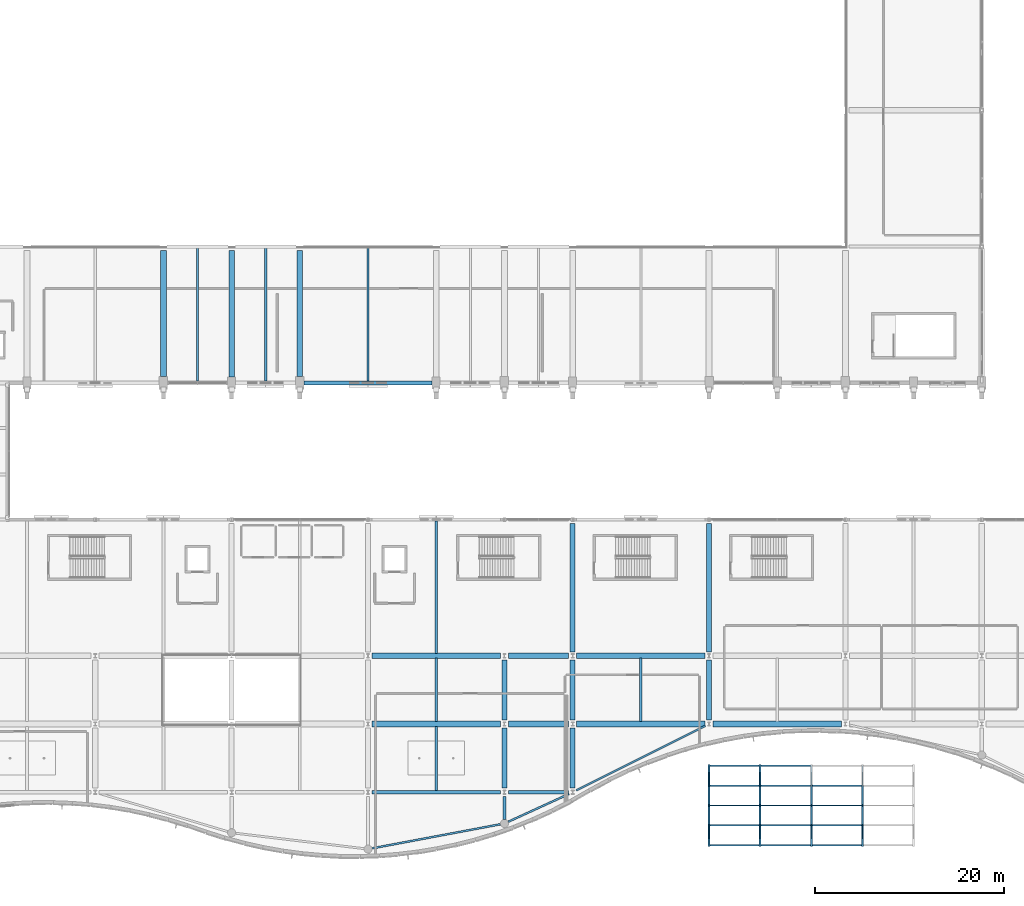
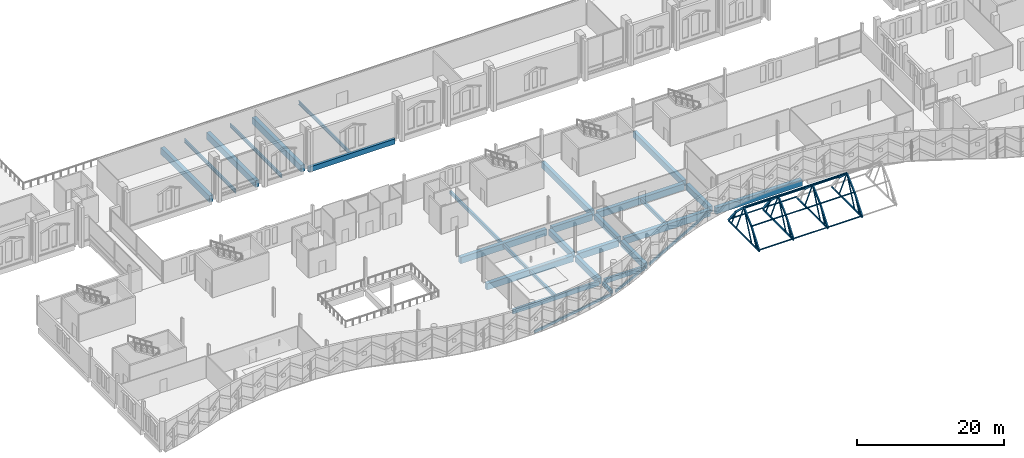
# One storey, part 37 of 220: 46 members, 31 beams.
"""IFC4 building model written with IfcOpenShell, lengths in metres."""

from ifc_helpers import new_model, si_unit, direction, frame, origin, origin_2d, place, context, subcontext, project, spatial, rectangle, hollow_rectangle, hollow_circle, i_section, extrude, material, material_profile, profile_set, type_object, element, save


model = new_model("IFC4")

# Units and contexts
model_context = context("Model", 3, precision=1e-05, world=origin(), true_north=direction((0.0, 1.0)))
body_context = subcontext(model_context, "Body", "Model", "MODEL_VIEW")
ifc_project = project(units=[si_unit("LENGTHUNIT", "METRE"), si_unit("AREAUNIT", "SQUARE_METRE"), si_unit("VOLUMEUNIT", "CUBIC_METRE"), si_unit("PLANEANGLEUNIT", "RADIAN"), si_unit("MASSUNIT", "GRAM", prefix="KILO")], contexts=[model_context])

# Site, building, storey
site_placement = place(None, origin())
site = spatial("IfcSite", under=ifc_project, at=site_placement, CompositionType="ELEMENT")
building_placement = place(site_placement, origin())
building = spatial("IfcBuilding", under=site, at=building_placement, Name="Cendralis Lancet Convention Centre", CompositionType="ELEMENT")
storey_placement = place(building_placement, frame((0.0, 0.0, 5.39990234375)))
storey = spatial("IfcBuildingStorey", under=building, at=storey_placement, Name="L01", CompositionType="ELEMENT", Elevation=5.39990234375)

# Beams
ifc_material_1 = material(Name="Concrete G40 (C40/50)", Category="concrete")
ifc_material_profile_1 = material_profile(ifc_material_1, rectangle(XDim=0.60009765625, YDim=1.10009765625, at=origin_2d()), Name="RCB 600x1100")
ifc_profile_set_1 = profile_set([ifc_material_profile_1], Name="Concrete G40 (C40/50)")
beam_type_1 = type_object("IfcBeamType", Name="STR-BM-BG02", PredefinedType="BEAM", material=ifc_profile_set_1)
beam_1_placement = place(storey_placement, frame((36.0, 51.10009765625, -0.829833984375), z_axis=(0.0, 1.0, 0.0), x_axis=(-1.0, 0.0, 0.0)))
element("IfcBeam", 1, at=beam_1_placement, inside=storey, type_object=beam_type_1, Name="L01 Beam BG02 #1217", PredefinedType="BEAM", context=body_context, shape_type="SweptSolid", body=[
    extrude(rectangle(XDim=0.60009765625, YDim=1.10009765625, at=origin_2d()), origin(), (0.0, 0.0, 1.0), 13.2998046875),
])
beam_2_placement = place(storey_placement, frame((43.199951171875, 51.050048828125, -0.829833984375), z_axis=(0.0, 1.0, 0.0), x_axis=(-1.0, 0.0, 0.0)))
element("IfcBeam", 2, at=beam_2_placement, inside=storey, type_object=beam_type_1, Name="L01 Beam BG02 #1218", PredefinedType="BEAM", context=body_context, shape_type="SweptSolid", body=[
    extrude(rectangle(XDim=0.60009765625, YDim=1.10009765625, at=origin_2d()), origin(), (0.0, 0.0, 1.0), 13.349853515625),
])
beam_3_placement = place(storey_placement, frame((50.39990234375, 51.10009765625, -0.829833984375), z_axis=(0.0, 1.0, 0.0), x_axis=(-1.0, 0.0, 0.0)))
element("IfcBeam", 3, at=beam_3_placement, inside=storey, type_object=beam_type_1, Name="L01 Beam BG02 #1219", PredefinedType="BEAM", context=body_context, shape_type="SweptSolid", body=[
    extrude(rectangle(XDim=0.60009765625, YDim=1.10009765625, at=origin_2d()), origin(), (0.0, 0.0, 1.0), 13.2998046875),
])
ifc_material_profile_2 = material_profile(ifc_material_1, rectangle(XDim=0.60009765625, YDim=1.050048828125, at=origin_2d()), Name="RCB 600x1050")
ifc_profile_set_2 = profile_set([ifc_material_profile_2], Name="Concrete G40 (C40/50)")
beam_type_2 = type_object("IfcBeamType", Name="STR-BM-BG03", PredefinedType="BEAM", material=ifc_profile_set_2)
beam_4_placement = place(storey_placement, frame((58.02490234375, 14.39990234375, -0.804931640625), z_axis=(1.0, 0.0, 0.0), x_axis=(0.0, 1.0, 0.0)))
element("IfcBeam", 4, at=beam_4_placement, inside=storey, type_object=beam_type_2, Name="L01 Beam BG03 #0746", PredefinedType="BEAM", context=body_context, shape_type="SweptSolid", body=[
    extrude(rectangle(XDim=0.60009765625, YDim=1.050048828125, at=origin_2d()), origin(), (0.0, 0.0, 1.0), 13.550048828125),
])
beam_5_placement = place(storey_placement, frame((72.425048828125, 14.39990234375, -0.804931640625), z_axis=(1.0, 0.0, 0.0), x_axis=(0.0, 1.0, 0.0)))
element("IfcBeam", 5, at=beam_5_placement, inside=storey, type_object=beam_type_2, Name="L01 Beam BG03 #0747", PredefinedType="BEAM", context=body_context, shape_type="SweptSolid", body=[
    extrude(rectangle(XDim=0.60009765625, YDim=1.050048828125, at=origin_2d()), origin(), (0.0, 0.0, 1.0), 6.349853515625),
])
for number, where, z_axis, x_axis, name in (
    (6, (79.625, 14.39990234375, -0.804931640625), (1.0, 0.0, 0.0), (0.0, 1.0, 0.0), "L01 Beam BG03 #0748"),
    (7, (94.02490234375, 14.39990234375, -0.804931640625), (1.0, 0.0, 0.0), (0.0, 1.0, 0.0), "L01 Beam BG03 #0749"),
    (8, (58.02490234375, 21.60009765625, -0.804931640625), (1.0, 0.0, 0.0), (0.0, 1.0, 0.0), "L01 Beam BG03 #0756"),
):
    element("IfcBeam", number, at=place(storey_placement, frame(where, z_axis=z_axis, x_axis=x_axis)), inside=storey, type_object=beam_type_2, Name=name, PredefinedType="BEAM", context=body_context, shape_type="SweptSolid", body=[
        extrude(rectangle(XDim=0.60009765625, YDim=1.050048828125, at=origin_2d()), origin(), (0.0, 0.0, 1.0), 13.550048828125),
    ])
beam_6_placement = place(storey_placement, frame((72.425048828125, 21.60009765625, -0.804931640625), z_axis=(1.0, 0.0, 0.0), x_axis=(0.0, 1.0, 0.0)))
element("IfcBeam", 9, at=beam_6_placement, inside=storey, type_object=beam_type_2, Name="L01 Beam BG03 #0757", PredefinedType="BEAM", context=body_context, shape_type="SweptSolid", body=[
    extrude(rectangle(XDim=0.60009765625, YDim=1.050048828125, at=origin_2d()), origin(), (0.0, 0.0, 1.0), 6.349853515625),
])
beam_7_placement = place(storey_placement, frame((79.625, 21.60009765625, -0.804931640625), z_axis=(1.0, 0.0, 0.0), x_axis=(0.0, 1.0, 0.0)))
element("IfcBeam", 10, at=beam_7_placement, inside=storey, type_object=beam_type_2, Name="L01 Beam BG03 #0758", PredefinedType="BEAM", context=body_context, shape_type="SweptSolid", body=[
    extrude(rectangle(XDim=0.60009765625, YDim=1.050048828125, at=origin_2d()), origin(), (0.0, 0.0, 1.0), 13.550048828125),
])
ifc_material_profile_3 = material_profile(ifc_material_1, rectangle(XDim=0.550048828125, YDim=1.0, at=origin_2d()), Name="RCB 550x1000")
ifc_profile_set_3 = profile_set([ifc_material_profile_3], Name="Concrete G40 (C40/50)")
beam_type_3 = type_object("IfcBeamType", Name="STR-BM-BG05", PredefinedType="BEAM", material=ifc_profile_set_3)
for number, where, z_axis, x_axis, name in (
    (11, (72.0, 7.625, -0.77978515625), (0.0, 1.0, 0.0), (-1.0, 0.0, 0.0), "L01 Beam BG05 #0786"),
    (12, (72.0, 14.824951171875, -0.77978515625), (0.0, 1.0, 0.0), (-1.0, 0.0, 0.0), "L01 Beam BG05 #0787"),
    (13, (79.199951171875, 7.625, -0.77978515625), (0.0, 1.0, 0.0), (-1.0, 0.0, 0.0), "L01 Beam BG05 #0788"),
    (14, (79.199951171875, 14.824951171875, -0.77978515625), (0.0, 1.0, 0.0), (-1.0, 0.0, 0.0), "L01 Beam BG05 #0789"),
):
    element("IfcBeam", number, at=place(storey_placement, frame(where, z_axis=z_axis, x_axis=x_axis)), inside=storey, type_object=beam_type_3, Name=name, PredefinedType="BEAM", context=body_context, shape_type="SweptSolid", body=[
        extrude(rectangle(XDim=0.550048828125, YDim=1.0, at=origin_2d()), origin(), (0.0, 0.0, 1.0), 6.35009765625),
    ])
beam_8_placement = place(storey_placement, frame((79.199951171875, 22.02490234375, -0.77978515625), z_axis=(0.0, 1.0, 0.0), x_axis=(-1.0, 0.0, 0.0)))
element("IfcBeam", 15, at=beam_8_placement, inside=storey, type_object=beam_type_3, Name="L01 Beam BG05 #0790", PredefinedType="BEAM", context=body_context, shape_type="SweptSolid", body=[
    extrude(rectangle(XDim=0.550048828125, YDim=1.0, at=origin_2d()), origin(), (0.0, 0.0, 1.0), 13.550048828125),
])
beam_9_placement = place(storey_placement, frame((93.60009765625, 14.824951171875, -0.77978515625), z_axis=(0.0, 1.0, 0.0), x_axis=(-1.0, 0.0, 0.0)))
element("IfcBeam", 16, at=beam_9_placement, inside=storey, type_object=beam_type_3, Name="L01 Beam BG05 #0791", PredefinedType="BEAM", context=body_context, shape_type="SweptSolid", body=[
    extrude(rectangle(XDim=0.550048828125, YDim=1.0, at=origin_2d()), origin(), (0.0, 0.0, 1.0), 6.35009765625),
])
beam_10_placement = place(storey_placement, frame((93.60009765625, 22.02490234375, -0.77978515625), z_axis=(0.0, 1.0, 0.0), x_axis=(-1.0, 0.0, 0.0)))
element("IfcBeam", 17, at=beam_10_placement, inside=storey, type_object=beam_type_3, Name="L01 Beam BG05 #0792", PredefinedType="BEAM", context=body_context, shape_type="SweptSolid", body=[
    extrude(rectangle(XDim=0.550048828125, YDim=1.0, at=origin_2d()), origin(), (0.0, 0.0, 1.0), 13.550048828125),
])
ifc_material_2 = material(Name="Concrete G35 (C35/45)", Category="concrete")
ifc_material_profile_4 = material_profile(ifc_material_2, rectangle(XDim=0.35009765625, YDim=0.60009765625, at=origin_2d()), Name="RCB 350x600")
ifc_profile_set_4 = profile_set([ifc_material_profile_4], Name="Concrete G35 (C35/45)")
beam_type_4 = type_object("IfcBeamType", Name="STR-BM-BG16", PredefinedType="BEAM", material=ifc_profile_set_4)
beam_11_placement = place(storey_placement, frame((72.0, 4.347900390625, -0.579833984375), z_axis=(0.0, 1.0, 0.0), x_axis=(-1.0, 0.0, 0.0)))
element("IfcBeam", 18, at=beam_11_placement, inside=storey, type_object=beam_type_4, Name="L01 Beam BG16 #1050", PredefinedType="BEAM", context=body_context, shape_type="SweptSolid", body=[
    extrude(rectangle(XDim=0.35009765625, YDim=0.60009765625, at=origin_2d()), origin(), (0.0, 0.0, 1.0), 2.427001953125),
])

# Members
ifc_material_3 = material(Name="Steel S355", Category="steel")
ifc_material_profile_5 = material_profile(ifc_material_3, hollow_rectangle(XDim=0.199951171875, YDim=0.300048828125, WallThickness=0.012451171875, at=origin_2d()), Name="RHS 300x200x12.5")
ifc_profile_set_5 = profile_set([ifc_material_profile_5], Name="Steel S355")
member_type_1 = type_object("IfcMemberType", Name="STR-CN-AR01", PredefinedType="RAFTER", material=ifc_profile_set_5)
member_1_placement = place(storey_placement, frame((93.60009765625, 1.60009765625, 0.35009765625), z_axis=(0.0, 0.611368600766, 0.791345963531), x_axis=(-1.0, 0.0, 0.0)))
element("IfcMember", 19, at=member_1_placement, inside=storey, type_object=member_type_1, Name="Entrance Canopy Pointed-Arch Rib AR01 S1-01", PredefinedType="RAFTER", context=body_context, shape_type="SweptSolid", body=[
    extrude(hollow_rectangle(XDim=0.199951171875, YDim=0.300048828125, WallThickness=0.012451171875, at=origin_2d()), origin(), (0.0, 0.0, 1.0), 3.4345703125),
])
member_2_placement = place(storey_placement, frame((93.60009765625, 3.699951171875, 3.068115234375), z_axis=(0.0, 0.732478000347, 0.680790701323), x_axis=(-1.0, 0.0, 0.0)))
element("IfcMember", 20, at=member_2_placement, inside=storey, type_object=member_type_1, Name="Entrance Canopy Pointed-Arch Rib AR01 S2-01", PredefinedType="RAFTER", context=body_context, shape_type="SweptSolid", body=[
    extrude(hollow_rectangle(XDim=0.199951171875, YDim=0.300048828125, WallThickness=0.012451171875, at=origin_2d()), origin(), (0.0, 0.0, 1.0), 2.8671875),
])
member_3_placement = place(storey_placement, frame((93.60009765625, 5.800048828125, 5.02001953125), z_axis=(0.0, 0.732438530721, -0.680833165111), x_axis=(-1.0, 0.0, 0.0)))
element("IfcMember", 21, at=member_3_placement, inside=storey, type_object=member_type_1, Name="Entrance Canopy Pointed-Arch Rib AR01 N1-01", PredefinedType="RAFTER", context=body_context, shape_type="SweptSolid", body=[
    extrude(hollow_rectangle(XDim=0.199951171875, YDim=0.300048828125, WallThickness=0.012451171875, at=origin_2d()), origin(), (0.0, 0.0, 1.0), 2.866943359375),
])
member_4_placement = place(storey_placement, frame((93.60009765625, 7.89990234375, 3.068115234375), z_axis=(0.0, 0.611413110875, -0.791311574445), x_axis=(-1.0, 0.0, 0.0)))
element("IfcMember", 22, at=member_4_placement, inside=storey, type_object=member_type_1, Name="Entrance Canopy Pointed-Arch Rib AR01 N2-01", PredefinedType="RAFTER", context=body_context, shape_type="SweptSolid", body=[
    extrude(hollow_rectangle(XDim=0.199951171875, YDim=0.300048828125, WallThickness=0.012451171875, at=origin_2d()), origin(), (0.0, 0.0, 1.0), 3.434814453125),
])
member_5_placement = place(storey_placement, frame((99.0, 1.60009765625, 0.35009765625), z_axis=(0.0, 0.611368600766, 0.791345963531), x_axis=(-1.0, 0.0, 0.0)))
element("IfcMember", 23, at=member_5_placement, inside=storey, type_object=member_type_1, Name="Entrance Canopy Pointed-Arch Rib AR01 S1-02", PredefinedType="RAFTER", context=body_context, shape_type="SweptSolid", body=[
    extrude(hollow_rectangle(XDim=0.199951171875, YDim=0.300048828125, WallThickness=0.012451171875, at=origin_2d()), origin(), (0.0, 0.0, 1.0), 3.4345703125),
])
member_6_placement = place(storey_placement, frame((99.0, 3.699951171875, 3.068115234375), z_axis=(0.0, 0.732478000347, 0.680790701323), x_axis=(-1.0, 0.0, 0.0)))
element("IfcMember", 24, at=member_6_placement, inside=storey, type_object=member_type_1, Name="Entrance Canopy Pointed-Arch Rib AR01 S2-02", PredefinedType="RAFTER", context=body_context, shape_type="SweptSolid", body=[
    extrude(hollow_rectangle(XDim=0.199951171875, YDim=0.300048828125, WallThickness=0.012451171875, at=origin_2d()), origin(), (0.0, 0.0, 1.0), 2.8671875),
])
member_7_placement = place(storey_placement, frame((99.0, 5.800048828125, 5.02001953125), z_axis=(0.0, 0.732438530721, -0.680833165111), x_axis=(-1.0, 0.0, 0.0)))
element("IfcMember", 25, at=member_7_placement, inside=storey, type_object=member_type_1, Name="Entrance Canopy Pointed-Arch Rib AR01 N1-02", PredefinedType="RAFTER", context=body_context, shape_type="SweptSolid", body=[
    extrude(hollow_rectangle(XDim=0.199951171875, YDim=0.300048828125, WallThickness=0.012451171875, at=origin_2d()), origin(), (0.0, 0.0, 1.0), 2.866943359375),
])
member_8_placement = place(storey_placement, frame((99.0, 7.89990234375, 3.068115234375), z_axis=(0.0, 0.611413110875, -0.791311574445), x_axis=(-1.0, 0.0, 0.0)))
element("IfcMember", 26, at=member_8_placement, inside=storey, type_object=member_type_1, Name="Entrance Canopy Pointed-Arch Rib AR01 N2-02", PredefinedType="RAFTER", context=body_context, shape_type="SweptSolid", body=[
    extrude(hollow_rectangle(XDim=0.199951171875, YDim=0.300048828125, WallThickness=0.012451171875, at=origin_2d()), origin(), (0.0, 0.0, 1.0), 3.434814453125),
])
member_9_placement = place(storey_placement, frame((104.39990234375, 1.60009765625, 0.35009765625), z_axis=(0.0, 0.611368600766, 0.791345963531), x_axis=(-1.0, 0.0, 0.0)))
element("IfcMember", 27, at=member_9_placement, inside=storey, type_object=member_type_1, Name="Entrance Canopy Pointed-Arch Rib AR01 S1-03", PredefinedType="RAFTER", context=body_context, shape_type="SweptSolid", body=[
    extrude(hollow_rectangle(XDim=0.199951171875, YDim=0.300048828125, WallThickness=0.012451171875, at=origin_2d()), origin(), (0.0, 0.0, 1.0), 3.4345703125),
])
member_10_placement = place(storey_placement, frame((104.39990234375, 3.699951171875, 3.068115234375), z_axis=(0.0, 0.732478000347, 0.680790701323), x_axis=(-1.0, 0.0, 0.0)))
element("IfcMember", 28, at=member_10_placement, inside=storey, type_object=member_type_1, Name="Entrance Canopy Pointed-Arch Rib AR01 S2-03", PredefinedType="RAFTER", context=body_context, shape_type="SweptSolid", body=[
    extrude(hollow_rectangle(XDim=0.199951171875, YDim=0.300048828125, WallThickness=0.012451171875, at=origin_2d()), origin(), (0.0, 0.0, 1.0), 2.8671875),
])
member_11_placement = place(storey_placement, frame((104.39990234375, 5.800048828125, 5.02001953125), z_axis=(0.0, 0.732438530721, -0.680833165111), x_axis=(-1.0, 0.0, 0.0)))
element("IfcMember", 29, at=member_11_placement, inside=storey, type_object=member_type_1, Name="Entrance Canopy Pointed-Arch Rib AR01 N1-03", PredefinedType="RAFTER", context=body_context, shape_type="SweptSolid", body=[
    extrude(hollow_rectangle(XDim=0.199951171875, YDim=0.300048828125, WallThickness=0.012451171875, at=origin_2d()), origin(), (0.0, 0.0, 1.0), 2.866943359375),
])
member_12_placement = place(storey_placement, frame((109.800048828125, 1.60009765625, 0.35009765625), z_axis=(0.0, 0.611368600766, 0.791345963531), x_axis=(-1.0, 0.0, 0.0)))
element("IfcMember", 30, at=member_12_placement, inside=storey, type_object=member_type_1, Name="Entrance Canopy Pointed-Arch Rib AR01 S1-04", PredefinedType="RAFTER", context=body_context, shape_type="SweptSolid", body=[
    extrude(hollow_rectangle(XDim=0.199951171875, YDim=0.300048828125, WallThickness=0.012451171875, at=origin_2d()), origin(), (0.0, 0.0, 1.0), 3.4345703125),
])
member_13_placement = place(storey_placement, frame((109.800048828125, 3.699951171875, 3.068115234375), z_axis=(0.0, 0.732478000347, 0.680790701323), x_axis=(-1.0, 0.0, 0.0)))
element("IfcMember", 31, at=member_13_placement, inside=storey, type_object=member_type_1, Name="Entrance Canopy Pointed-Arch Rib AR01 S2-04", PredefinedType="RAFTER", context=body_context, shape_type="SweptSolid", body=[
    extrude(hollow_rectangle(XDim=0.199951171875, YDim=0.300048828125, WallThickness=0.012451171875, at=origin_2d()), origin(), (0.0, 0.0, 1.0), 2.8671875),
])
member_14_placement = place(storey_placement, frame((109.800048828125, 5.800048828125, 5.02001953125), z_axis=(0.0, 0.732438530721, -0.680833165111), x_axis=(-1.0, 0.0, 0.0)))
element("IfcMember", 32, at=member_14_placement, inside=storey, type_object=member_type_1, Name="Entrance Canopy Pointed-Arch Rib AR01 N1-04", PredefinedType="RAFTER", context=body_context, shape_type="SweptSolid", body=[
    extrude(hollow_rectangle(XDim=0.199951171875, YDim=0.300048828125, WallThickness=0.012451171875, at=origin_2d()), origin(), (0.0, 0.0, 1.0), 2.866943359375),
])
ifc_material_profile_6 = material_profile(ifc_material_3, hollow_rectangle(XDim=0.14990234375, YDim=0.14990234375, WallThickness=0.008056640625, at=origin_2d()), Name="SHS 150x150x8.0")
ifc_profile_set_6 = profile_set([ifc_material_profile_6], Name="Steel S355")
member_type_2 = type_object("IfcMemberType", Name="STR-CN-PR04", PredefinedType="PURLIN", material=ifc_profile_set_6)
for number, where, z_axis, x_axis, name in (
    (33, (93.60009765625, 1.60009765625, 0.5), (1.0, 0.0, 0.0), (0.0, 1.0, 0.0), "Canopy Purlin PR04 01-1.6"),
    (34, (93.60009765625, 3.699951171875, 3.168212890625), (1.0, 0.0, 0.0), (0.0, 1.0, 0.0), "Canopy Purlin PR04 01-3.7"),
    (35, (93.60009765625, 5.800048828125, 5.10009765625), (1.0, 0.0, 0.0), (0.0, 1.0, 0.0), "Canopy Purlin PR04 01-5.8"),
    (36, (93.60009765625, 7.89990234375, 3.168212890625), (1.0, 0.0, 0.0), (0.0, 1.0, 0.0), "Canopy Purlin PR04 01-7.9"),
    (37, (93.60009765625, 10.0, 0.5), (1.0, 0.0, 0.0), (0.0, 1.0, 0.0), "Canopy Purlin PR04 01-10.0"),
    (38, (99.0, 1.60009765625, 0.5), (1.0, 0.0, 0.0), (0.0, 1.0, 0.0), "Canopy Purlin PR04 02-1.6"),
    (39, (99.0, 3.699951171875, 3.168212890625), (1.0, 0.0, 0.0), (0.0, 1.0, 0.0), "Canopy Purlin PR04 02-3.7"),
    (40, (99.0, 5.800048828125, 5.10009765625), (1.0, 0.0, 0.0), (0.0, 1.0, 0.0), "Canopy Purlin PR04 02-5.8"),
    (41, (99.0, 7.89990234375, 3.168212890625), (1.0, 0.0, 0.0), (0.0, 1.0, 0.0), "Canopy Purlin PR04 02-7.9"),
    (42, (99.0, 10.0, 0.5), (1.0, 0.0, 0.0), (0.0, 1.0, 0.0), "Canopy Purlin PR04 02-10.0"),
):
    element("IfcMember", number, at=place(storey_placement, frame(where, z_axis=z_axis, x_axis=x_axis)), inside=storey, type_object=member_type_2, Name=name, PredefinedType="PURLIN", context=body_context, shape_type="SweptSolid", body=[
        extrude(hollow_rectangle(XDim=0.14990234375, YDim=0.14990234375, WallThickness=0.008056640625, at=origin_2d()), origin(), (0.0, 0.0, 1.0), 5.39990234375),
    ])
for number, where, z_axis, x_axis, name in (
    (43, (104.39990234375, 1.60009765625, 0.5), (1.0, 0.0, 0.0), (0.0, 1.0, 0.0), "Canopy Purlin PR04 03-1.6"),
    (44, (104.39990234375, 3.699951171875, 3.168212890625), (1.0, 0.0, 0.0), (0.0, 1.0, 0.0), "Canopy Purlin PR04 03-3.7"),
    (45, (104.39990234375, 5.800048828125, 5.10009765625), (1.0, 0.0, 0.0), (0.0, 1.0, 0.0), "Canopy Purlin PR04 03-5.8"),
    (46, (104.39990234375, 7.89990234375, 3.168212890625), (1.0, 0.0, 0.0), (0.0, 1.0, 0.0), "Canopy Purlin PR04 03-7.9"),
):
    element("IfcMember", number, at=place(storey_placement, frame(where, z_axis=z_axis, x_axis=x_axis)), inside=storey, type_object=member_type_2, Name=name, PredefinedType="PURLIN", context=body_context, shape_type="SweptSolid", body=[
        extrude(hollow_rectangle(XDim=0.14990234375, YDim=0.14990234375, WallThickness=0.008056640625, at=origin_2d()), origin(), (0.0, 0.0, 1.0), 5.400146484375),
    ])
ifc_material_profile_7 = material_profile(ifc_material_3, hollow_rectangle(XDim=0.14990234375, YDim=0.25, WallThickness=0.010009765625, at=origin_2d()), Name="RHS 250x150x10.0")
ifc_profile_set_7 = profile_set([ifc_material_profile_7], Name="Steel S355")
member_type_3 = type_object("IfcMemberType", Name="STR-CN-ST03", PredefinedType="STRUT", material=ifc_profile_set_7)
for number, where, z_axis, x_axis, name in (
    (47, (93.60009765625, 1.60009765625, 0.280029296875), (0.0, 1.0, 0.0), (-1.0, 0.0, 0.0), "Entrance Canopy Tie Strut ST03 01"),
    (48, (99.0, 1.60009765625, 0.280029296875), (0.0, 1.0, 0.0), (-1.0, 0.0, 0.0), "Entrance Canopy Tie Strut ST03 02"),
    (49, (104.39990234375, 1.60009765625, 0.280029296875), (0.0, 1.0, 0.0), (-1.0, 0.0, 0.0), "Entrance Canopy Tie Strut ST03 03"),
    (50, (109.800048828125, 1.60009765625, 0.280029296875), (0.0, 1.0, 0.0), (-1.0, 0.0, 0.0), "Entrance Canopy Tie Strut ST03 04"),
):
    element("IfcMember", number, at=place(storey_placement, frame(where, z_axis=z_axis, x_axis=x_axis)), inside=storey, type_object=member_type_3, Name=name, PredefinedType="STRUT", context=body_context, shape_type="SweptSolid", body=[
        extrude(hollow_rectangle(XDim=0.14990234375, YDim=0.25, WallThickness=0.010009765625, at=origin_2d()), origin(), (0.0, 0.0, 1.0), 8.39990234375),
    ])

# Beams
ifc_material_profile_8 = material_profile(ifc_material_2, rectangle(XDim=0.300048828125, YDim=0.550048828125, at=origin_2d()), Name="RCB 300x550")
ifc_profile_set_8 = profile_set([ifc_material_profile_8], Name="Concrete G35 (C35/45)")
beam_type_5 = type_object("IfcBeamType", Name="STR-JS-BJ02", PredefinedType="JOIST", material=ifc_profile_set_8)
beam_12_placement = place(storey_placement, frame((64.800048828125, 7.375, -0.554931640625), z_axis=(0.0, 1.0, 0.0), x_axis=(-1.0, 0.0, 0.0)))
element("IfcBeam", 51, at=beam_12_placement, inside=storey, type_object=beam_type_5, Name="L01 Beam BJ02 #0809", PredefinedType="JOIST", context=body_context, shape_type="SweptSolid", body=[
    extrude(rectangle(XDim=0.300048828125, YDim=0.550048828125, at=origin_2d()), origin(), (0.0, 0.0, 1.0), 6.77490234375),
])
beam_13_placement = place(storey_placement, frame((64.800048828125, 14.64990234375, -0.554931640625), z_axis=(0.0, 1.0, 0.0), x_axis=(-1.0, 0.0, 0.0)))
element("IfcBeam", 52, at=beam_13_placement, inside=storey, type_object=beam_type_5, Name="L01 Beam BJ02 #0810", PredefinedType="JOIST", context=body_context, shape_type="SweptSolid", body=[
    extrude(rectangle(XDim=0.300048828125, YDim=0.550048828125, at=origin_2d()), origin(), (0.0, 0.0, 1.0), 6.7001953125),
])
beam_14_placement = place(storey_placement, frame((64.800048828125, 21.85009765625, -0.554931640625), z_axis=(0.0, 1.0, 0.0), x_axis=(-1.0, 0.0, 0.0)))
element("IfcBeam", 53, at=beam_14_placement, inside=storey, type_object=beam_type_5, Name="L01 Beam BJ02 #0811", PredefinedType="JOIST", context=body_context, shape_type="SweptSolid", body=[
    extrude(rectangle(XDim=0.300048828125, YDim=0.550048828125, at=origin_2d()), origin(), (0.0, 0.0, 1.0), 13.974853515625),
])
beam_15_placement = place(storey_placement, frame((86.39990234375, 14.64990234375, -0.554931640625), z_axis=(0.0, 1.0, 0.0), x_axis=(-1.0, 0.0, 0.0)))
element("IfcBeam", 54, at=beam_15_placement, inside=storey, type_object=beam_type_5, Name="L01 Beam BJ02 #0812", PredefinedType="JOIST", context=body_context, shape_type="SweptSolid", body=[
    extrude(rectangle(XDim=0.300048828125, YDim=0.550048828125, at=origin_2d()), origin(), (0.0, 0.0, 1.0), 6.7001953125),
])
ifc_material_profile_9 = material_profile(ifc_material_3, i_section(OverallWidth=0.219970703125, OverallDepth=0.60009765625, WebThickness=0.011962890625, FlangeThickness=0.01904296875, FilletRadius=0.02392578125, at=origin_2d()), Name="IPE 600")
ifc_profile_set_9 = profile_set([ifc_material_profile_9], Name="Steel S355")
beam_type_6 = type_object("IfcBeamType", Name="STR-JS-BJ04", PredefinedType="JOIST", material=ifc_profile_set_9)
for number, where, z_axis, x_axis, name in (
    (55, (39.60009765625, 50.60009765625, -0.579833984375), (0.0, 1.0, 0.0), (-1.0, 0.0, 0.0), "L01 Beam BJ04 #1227"),
    (56, (46.800048828125, 50.60009765625, -0.579833984375), (0.0, 1.0, 0.0), (-1.0, 0.0, 0.0), "L01 Beam BJ04 #1228"),
    (57, (57.60009765625, 50.60009765625, -0.579833984375), (0.0, 1.0, 0.0), (-1.0, 0.0, 0.0), "L01 Beam BJ04 #1229"),
):
    element("IfcBeam", number, at=place(storey_placement, frame(where, z_axis=z_axis, x_axis=x_axis)), inside=storey, type_object=beam_type_6, Name=name, PredefinedType="JOIST", context=body_context, shape_type="SweptSolid", body=[
        extrude(i_section(OverallWidth=0.219970703125, OverallDepth=0.60009765625, WebThickness=0.011962890625, FlangeThickness=0.01904296875, FilletRadius=0.02392578125, at=origin_2d()), origin(), (0.0, 0.0, 1.0), 14.0498046875),
    ])
ifc_material_profile_10 = material_profile(ifc_material_1, rectangle(XDim=0.35009765625, YDim=0.75, at=origin_2d()), Name="RCB 350x750")
ifc_profile_set_10 = profile_set([ifc_material_profile_10], Name="Concrete G40 (C40/50)")
beam_type_7 = type_object("IfcBeamType", Name="STR-SP-SP01", PredefinedType="SPANDREL", material=ifc_profile_set_10)
beam_16_placement = place(storey_placement, frame((58.02490234375, 7.199951171875, -0.65478515625), z_axis=(1.0, 0.0, 0.0), x_axis=(0.0, 1.0, 0.0)))
element("IfcBeam", 58, at=beam_16_placement, inside=storey, type_object=beam_type_7, Name="L01 Beam SP01 #0740", PredefinedType="SPANDREL", context=body_context, shape_type="SweptSolid", body=[
    extrude(rectangle(XDim=0.35009765625, YDim=0.75, at=origin_2d()), origin(), (0.0, 0.0, 1.0), 13.550048828125),
])
beam_17_placement = place(storey_placement, frame((72.425048828125, 7.199951171875, -0.65478515625), z_axis=(1.0, 0.0, 0.0), x_axis=(0.0, 1.0, 0.0)))
element("IfcBeam", 59, at=beam_17_placement, inside=storey, type_object=beam_type_7, Name="L01 Beam SP01 #0741", PredefinedType="SPANDREL", context=body_context, shape_type="SweptSolid", body=[
    extrude(rectangle(XDim=0.35009765625, YDim=0.75, at=origin_2d()), origin(), (0.0, 0.0, 1.0), 6.349853515625),
])
ifc_material_profile_11 = material_profile(ifc_material_1, rectangle(XDim=0.39990234375, YDim=0.85009765625, at=origin_2d()), Name="RCB 400x850")
ifc_profile_set_11 = profile_set([ifc_material_profile_11], Name="Concrete G40 (C40/50)")
beam_type_8 = type_object("IfcBeamType", Name="STR-SP-SP02", PredefinedType="SPANDREL", material=ifc_profile_set_11)
beam_18_placement = place(storey_placement, frame((50.85009765625, 50.39990234375, -0.704833984375), z_axis=(1.0, 0.0, 0.0), x_axis=(0.0, 1.0, 0.0)))
element("IfcBeam", 60, at=beam_18_placement, inside=storey, type_object=beam_type_8, Name="L01 Beam SP02 #1202", PredefinedType="SPANDREL", context=body_context, shape_type="SweptSolid", body=[
    extrude(rectangle(XDim=0.39990234375, YDim=0.85009765625, at=origin_2d()), origin(), (0.0, 0.0, 1.0), 13.52490234375),
])
ifc_material_profile_12 = material_profile(ifc_material_3, hollow_rectangle(XDim=0.199951171875, YDim=0.39990234375, WallThickness=0.01416015625, at=origin_2d()), Name="RHS 400x200x14.2")
ifc_profile_set_12 = profile_set([ifc_material_profile_12], Name="Steel S355")
beam_type_9 = type_object("IfcBeamType", Name="STR-SP-SP03", PredefinedType="SPANDREL", material=ifc_profile_set_12)
beam_19_placement = place(storey_placement, frame((58.042236328125, 1.278076171875, -0.47998046875), z_axis=(0.982836191506, 0.184480407268, 0.0), x_axis=(-0.184480407268, 0.982836191506, 0.0)))
element("IfcBeam", 61, at=beam_19_placement, inside=storey, type_object=beam_type_9, Name="L01 Beam SP03 #1062", PredefinedType="SPANDREL", context=body_context, shape_type="SweptSolid", body=[
    extrude(hollow_rectangle(XDim=0.199951171875, YDim=0.39990234375, WallThickness=0.01416015625, at=origin_2d()), origin(), (0.0, 0.0, 1.0), 13.75146484375),
])
beam_20_placement = place(storey_placement, frame((72.408935546875, 4.085693359375, -0.47998046875), z_axis=(0.908984969069, 0.41682889296, 0.0), x_axis=(-0.41682889296, 0.908984969069, 0.0)))
element("IfcBeam", 62, at=beam_20_placement, inside=storey, type_object=beam_type_9, Name="L01 Beam SP03 #1063", PredefinedType="SPANDREL", context=body_context, shape_type="SweptSolid", body=[
    extrude(hollow_rectangle(XDim=0.199951171875, YDim=0.39990234375, WallThickness=0.01416015625, at=origin_2d()), origin(), (0.0, 0.0, 1.0), 7.046142578125),
])
beam_21_placement = place(storey_placement, frame((79.580078125, 7.39013671875, -0.47998046875), z_axis=(0.894430392861, 0.44720719172, 0.0), x_axis=(-0.44720719172, 0.894430392861, 0.0)))
element("IfcBeam", 63, at=beam_21_placement, inside=storey, type_object=beam_type_9, Name="L01 Beam SP03 #1064", PredefinedType="SPANDREL", context=body_context, shape_type="SweptSolid", body=[
    extrude(hollow_rectangle(XDim=0.199951171875, YDim=0.39990234375, WallThickness=0.01416015625, at=origin_2d()), origin(), (0.0, 0.0, 1.0), 15.249755859375),
])

# Members
ifc_material_profile_13 = material_profile(ifc_material_3, hollow_circle(Radius=0.096923828125, WallThickness=0.008056640625, at=origin_2d()), Name="CHS 193.7x8.0")
ifc_profile_set_13 = profile_set([ifc_material_profile_13], Name="Steel S355")
member_type_4 = type_object("IfcMemberType", Name="STR-TR-WD02", PredefinedType="BRACE", material=ifc_profile_set_13)
for number, where, z_axis, x_axis, name in (
    (64, (93.60009765625, 3.699951171875, 0.280029296875), (0.0, 0.405080820759, 0.914280880612), (-1.0, 0.0, 0.0), "Entrance Canopy Gothic Tracery Web WD02 WL-01"),
    (65, (93.60009765625, 7.89990234375, 0.280029296875), (0.0, -0.405041455424, 0.914298320784), (1.0, 0.0, 0.0), "Entrance Canopy Gothic Tracery Web WD02 WR-01"),
):
    element("IfcMember", number, at=place(storey_placement, frame(where, z_axis=z_axis, x_axis=x_axis)), inside=storey, type_object=member_type_4, Name=name, PredefinedType="BRACE", context=body_context, shape_type="SweptSolid", body=[
        extrude(hollow_circle(Radius=0.096923828125, WallThickness=0.008056640625, at=origin_2d()), origin(), (0.0, 0.0, 1.0), 5.184326171875),
    ])
for number, where, z_axis, x_axis, name in (
    (66, (93.60009765625, 2.39990234375, 0.280029296875), (0.0, 0.422603043256, 0.906314883377), (-1.0, 0.0, 0.0), "Entrance Canopy Gothic Tracery Web WD02 SL-01"),
    (67, (93.60009765625, 9.199951171875, 0.280029296875), (0.0, -0.422603043256, 0.906314883377), (1.0, 0.0, 0.0), "Entrance Canopy Gothic Tracery Web WD02 SR-01"),
):
    element("IfcMember", number, at=place(storey_placement, frame(where, z_axis=z_axis, x_axis=x_axis)), inside=storey, type_object=member_type_4, Name=name, PredefinedType="BRACE", context=body_context, shape_type="SweptSolid", body=[
        extrude(hollow_circle(Radius=0.096923828125, WallThickness=0.008056640625, at=origin_2d()), origin(), (0.0, 0.0, 1.0), 3.076171875),
    ])
for number, where, z_axis, x_axis, name in (
    (68, (99.0, 3.699951171875, 0.280029296875), (0.0, 0.405080820759, 0.914280880612), (-1.0, 0.0, 0.0), "Entrance Canopy Gothic Tracery Web WD02 WL-02"),
    (69, (99.0, 7.89990234375, 0.280029296875), (0.0, -0.405041455424, 0.914298320784), (1.0, 0.0, 0.0), "Entrance Canopy Gothic Tracery Web WD02 WR-02"),
):
    element("IfcMember", number, at=place(storey_placement, frame(where, z_axis=z_axis, x_axis=x_axis)), inside=storey, type_object=member_type_4, Name=name, PredefinedType="BRACE", context=body_context, shape_type="SweptSolid", body=[
        extrude(hollow_circle(Radius=0.096923828125, WallThickness=0.008056640625, at=origin_2d()), origin(), (0.0, 0.0, 1.0), 5.184326171875),
    ])
for number, where, z_axis, x_axis, name in (
    (70, (99.0, 2.39990234375, 0.280029296875), (0.0, 0.422603043256, 0.906314883377), (-1.0, 0.0, 0.0), "Entrance Canopy Gothic Tracery Web WD02 SL-02"),
    (71, (99.0, 9.199951171875, 0.280029296875), (0.0, -0.422603043256, 0.906314883377), (1.0, 0.0, 0.0), "Entrance Canopy Gothic Tracery Web WD02 SR-02"),
):
    element("IfcMember", number, at=place(storey_placement, frame(where, z_axis=z_axis, x_axis=x_axis)), inside=storey, type_object=member_type_4, Name=name, PredefinedType="BRACE", context=body_context, shape_type="SweptSolid", body=[
        extrude(hollow_circle(Radius=0.096923828125, WallThickness=0.008056640625, at=origin_2d()), origin(), (0.0, 0.0, 1.0), 3.076171875),
    ])
for number, where, z_axis, x_axis, name in (
    (72, (104.39990234375, 3.699951171875, 0.280029296875), (0.0, 0.405080820759, 0.914280880612), (-1.0, 0.0, 0.0), "Entrance Canopy Gothic Tracery Web WD02 WL-03"),
    (73, (104.39990234375, 7.89990234375, 0.280029296875), (0.0, -0.405041455424, 0.914298320784), (1.0, 0.0, 0.0), "Entrance Canopy Gothic Tracery Web WD02 WR-03"),
):
    element("IfcMember", number, at=place(storey_placement, frame(where, z_axis=z_axis, x_axis=x_axis)), inside=storey, type_object=member_type_4, Name=name, PredefinedType="BRACE", context=body_context, shape_type="SweptSolid", body=[
        extrude(hollow_circle(Radius=0.096923828125, WallThickness=0.008056640625, at=origin_2d()), origin(), (0.0, 0.0, 1.0), 5.184326171875),
    ])
member_15_placement = place(storey_placement, frame((104.39990234375, 2.39990234375, 0.280029296875), z_axis=(0.0, 0.422603043256, 0.906314883377), x_axis=(-1.0, 0.0, 0.0)))
element("IfcMember", 74, at=member_15_placement, inside=storey, type_object=member_type_4, Name="Entrance Canopy Gothic Tracery Web WD02 SL-03", PredefinedType="BRACE", context=body_context, shape_type="SweptSolid", body=[
    extrude(hollow_circle(Radius=0.096923828125, WallThickness=0.008056640625, at=origin_2d()), origin(), (0.0, 0.0, 1.0), 3.076171875),
])
for number, where, z_axis, x_axis, name in (
    (75, (109.800048828125, 3.699951171875, 0.280029296875), (0.0, 0.405080820759, 0.914280880612), (-1.0, 0.0, 0.0), "Entrance Canopy Gothic Tracery Web WD02 WL-04"),
    (76, (109.800048828125, 7.89990234375, 0.280029296875), (0.0, -0.405041455424, 0.914298320784), (1.0, 0.0, 0.0), "Entrance Canopy Gothic Tracery Web WD02 WR-04"),
):
    element("IfcMember", number, at=place(storey_placement, frame(where, z_axis=z_axis, x_axis=x_axis)), inside=storey, type_object=member_type_4, Name=name, PredefinedType="BRACE", context=body_context, shape_type="SweptSolid", body=[
        extrude(hollow_circle(Radius=0.096923828125, WallThickness=0.008056640625, at=origin_2d()), origin(), (0.0, 0.0, 1.0), 5.184326171875),
    ])
member_16_placement = place(storey_placement, frame((109.800048828125, 2.39990234375, 0.280029296875), z_axis=(0.0, 0.422603043256, 0.906314883377), x_axis=(-1.0, 0.0, 0.0)))
element("IfcMember", 77, at=member_16_placement, inside=storey, type_object=member_type_4, Name="Entrance Canopy Gothic Tracery Web WD02 SL-04", PredefinedType="BRACE", context=body_context, shape_type="SweptSolid", body=[
    extrude(hollow_circle(Radius=0.096923828125, WallThickness=0.008056640625, at=origin_2d()), origin(), (0.0, 0.0, 1.0), 3.076171875),
])

save(model, "model.ifc")
